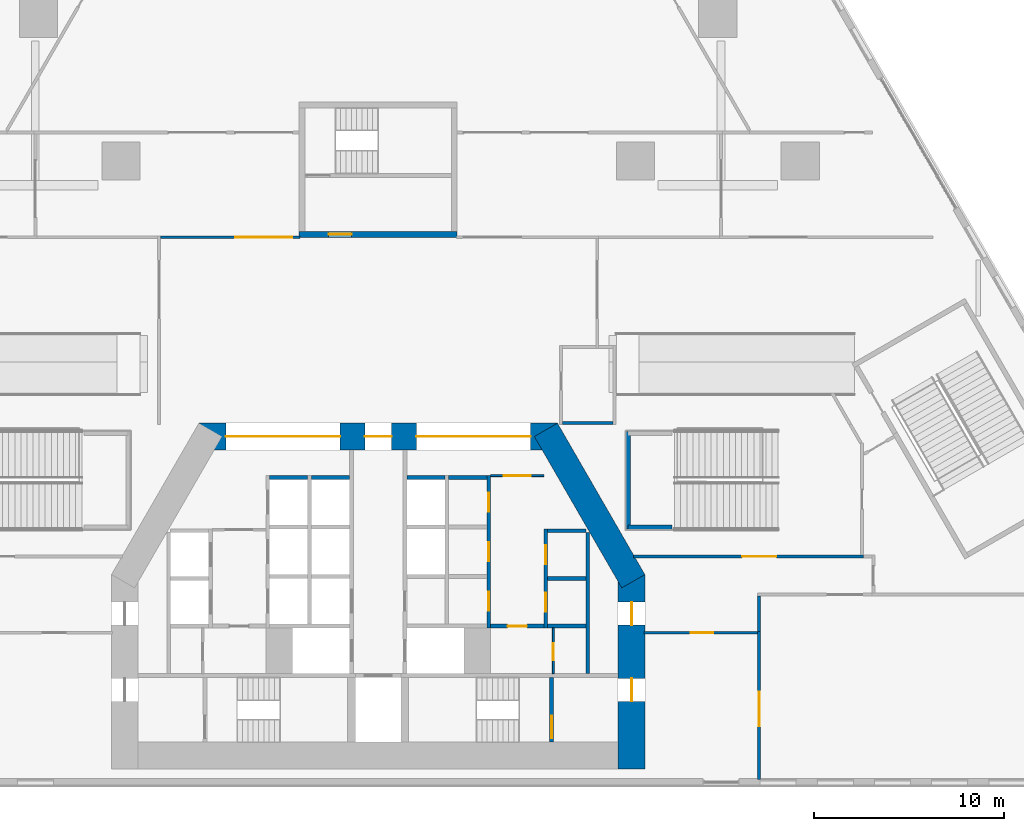
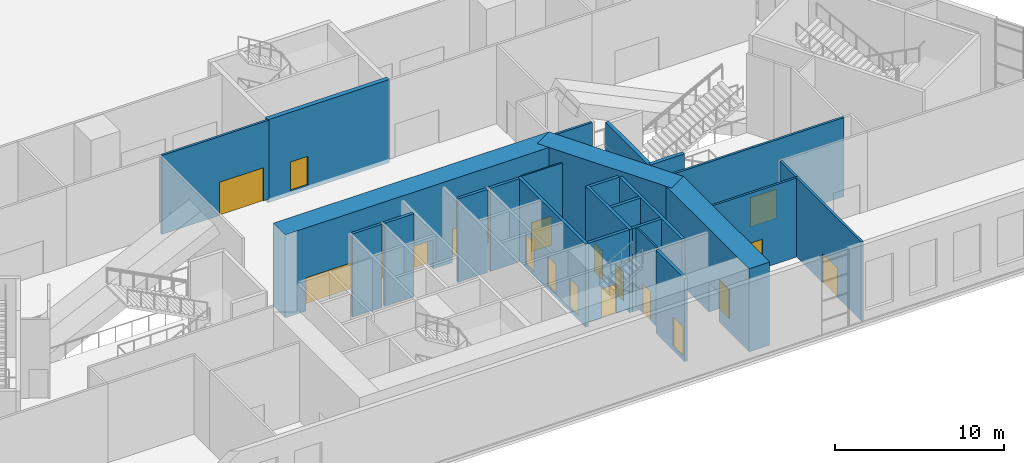
# One storey, part 16 of 27: 26 walls, 19 doors, 19 openings.
"""IFC4 building model written with IfcOpenShell, lengths in metres."""

from ifc_helpers import new_model, si_unit, direction, frame, frame_2d, origin, place, context, subcontext, project, spatial, rectangle, extrude, material, layer, layer_set, type_object, element, fill, save


model = new_model("IFC4")

# Units and contexts
model_context = context("Model", 3, precision=1e-05, world=origin(), true_north=direction((0.0, 1.0)))
body_context = subcontext(model_context, "Body", "Model", "MODEL_VIEW")
ifc_project = project(units=[si_unit("LENGTHUNIT", "METRE"), si_unit("AREAUNIT", "SQUARE_METRE"), si_unit("VOLUMEUNIT", "CUBIC_METRE"), si_unit("PLANEANGLEUNIT", "RADIAN"), si_unit("MASSUNIT", "GRAM", prefix="KILO")], contexts=[model_context])

# Site, building, storey
site_placement = place(None, origin())
site = spatial("IfcSite", under=ifc_project, at=site_placement, CompositionType="ELEMENT")
building_placement = place(site_placement, origin())
building = spatial("IfcBuilding", under=site, at=building_placement, Name="Fogline Exchange Tower", CompositionType="ELEMENT")
storey_placement = place(building_placement, frame((0.0, 0.0, 8.0)))
storey = spatial("IfcBuildingStorey", under=building, at=storey_placement, Name="L01", CompositionType="ELEMENT", Elevation=8.0)

# Wall, opening, door
ifc_material_1 = material(Name="Blockwork partition", Category="masonry")
ifc_layer_1 = layer(ifc_material_1, 0.10009765625)
ifc_layer_set_1 = layer_set([ifc_layer_1], Name="CW10")
wall_type_1 = type_object("IfcWallType", Name="CW10", PredefinedType="PARTITIONING", material=ifc_layer_set_1)
wall_1_placement = place(storey_placement, frame((5.89990234375, 16.25, 0.0), z_axis=(0.0, 0.0, 1.0), x_axis=(1.0, 0.0, 0.0)))
wall_1 = element("IfcWall", 1, at=wall_1_placement, inside=storey, type_object=wall_type_1, Name="Lift lobby partition", PredefinedType="PARTITIONING", context=body_context, shape_type="SweptSolid", body=[
    extrude(rectangle(XDim=2.800048828125, YDim=0.10009765625, at=frame_2d((1.39990234375, 0.0))), origin(), (0.0, 0.0, 1.0), 5.699951171875),
])
opening_1_placement = place(wall_1_placement, frame((0.699951171875, 0.0, 0.0)))
opening_1 = element("IfcOpeningElement", 2, at=opening_1_placement, cuts=wall_1, Name="Opening P01-C013", PredefinedType="OPENING", context=body_context, shape_type="SweptSolid", body=[
    extrude(rectangle(XDim=1.39990234375, YDim=2.10009765625, at=frame_2d((0.699951171875, 1.050048828125))), frame((0.0, 0.06005859375, 0.0), z_axis=(0.0, -1.0, 0.0), x_axis=(1.0, 0.0, 0.0)), (0.0, 0.0, 1.0), 0.1201171875),
])
ifc_material_2 = material(Name="Steel and timber fire door", Category="steel")
door_type_1 = type_object("IfcDoorType", Name="D-LB1", OperationType="DOUBLE_DOOR_SINGLE_SWING", PredefinedType="DOOR", material=ifc_material_2)
door_1_placement = place(opening_1_placement, origin())
door_1 = element("IfcDoor", 3, at=door_1_placement, inside=storey, type_object=door_type_1, Name="Door to lift lobby", OperationType="DOUBLE_DOOR_SINGLE_SWING", OverallHeight=2.10009765625, OverallWidth=1.39990234375, PredefinedType="DOOR", context=body_context, shape_type="SweptSolid", body=[
    extrude(rectangle(XDim=1.39990234375, YDim=2.10009765625, at=frame_2d((0.699951171875, 1.050048828125))), frame((0.0, 0.02490234375, 0.0), z_axis=(0.0, -1.0, 0.0), x_axis=(1.0, 0.0, 0.0)), (0.0, 0.0, 1.0), 0.050048828125),
])
fill(opening_1, door_1)

wall_2_placement = place(storey_placement, frame((9.199951171875, 5.85009765625, 0.0), z_axis=(0.0, 0.0, 1.0), x_axis=(0.0, 1.0, 0.0)))
wall_2 = element("IfcWall", 4, at=wall_2_placement, inside=storey, type_object=wall_type_1, Name="WC partition", PredefinedType="PARTITIONING", context=body_context, shape_type="SweptSolid", body=[
    extrude(rectangle(XDim=2.39990234375, YDim=0.10009765625, at=frame_2d((1.199951171875, 0.0))), origin(), (0.0, 0.0, 1.0), 5.699951171875),
])
opening_2_placement = place(wall_2_placement, frame((0.699951171875, 0.0, 0.0)))
opening_2 = element("IfcOpeningElement", 5, at=opening_2_placement, cuts=wall_2, Name="Opening P01-C015", PredefinedType="OPENING", context=body_context, shape_type="SweptSolid", body=[
    extrude(rectangle(XDim=0.89990234375, YDim=2.10009765625, at=frame_2d((0.449951171875, 1.050048828125))), frame((0.0, 0.06005859375, 0.0), z_axis=(0.0, -1.0, 0.0), x_axis=(1.0, 0.0, 0.0)), (0.0, 0.0, 1.0), 0.1201171875),
])
door_type_2 = type_object("IfcDoorType", Name="D-CS1", OperationType="SINGLE_SWING_RIGHT", PredefinedType="DOOR", material=ifc_material_2)
door_2_placement = place(opening_2_placement, frame((0.89990234375, 0.0, 0.0), z_axis=(0.0, 0.0, 1.0), x_axis=(-1.0, 0.0, 0.0)))
door_2 = element("IfcDoor", 6, at=door_2_placement, inside=storey, type_object=door_type_2, Name="Door to Cleaner's Store", OperationType="SINGLE_SWING_RIGHT", OverallHeight=2.10009765625, OverallWidth=0.89990234375, PredefinedType="DOOR", context=body_context, shape_type="SweptSolid", body=[
    extrude(rectangle(XDim=0.89990234375, YDim=2.10009765625, at=frame_2d((0.449951171875, 1.050048828125))), frame((0.0, 0.02490234375, 0.0), z_axis=(0.0, -1.0, 0.0), x_axis=(1.0, 0.0, 0.0)), (0.0, 0.0, 1.0), 0.050048828125),
])
fill(opening_2, door_2)

# Wall
ifc_material_3 = material(Name="Concrete C40", Category="concrete")
ifc_layer_2 = layer(ifc_material_3, 0.199951171875)
ifc_layer_set_2 = layer_set([ifc_layer_2], Name="CW20")
wall_type_2 = type_object("IfcWallType", Name="CW20", PredefinedType="SOLIDWALL", material=ifc_layer_set_2)
wall_3_placement = place(storey_placement, frame((11.0, 5.85009765625, 0.0), z_axis=(0.0, 0.0, 1.0), x_axis=(0.0, 1.0, 0.0)))
element("IfcWall", 7, at=wall_3_placement, inside=storey, type_object=wall_type_2, Name="Service room wall", PredefinedType="SOLIDWALL", context=body_context, shape_type="SweptSolid", body=[
    extrude(rectangle(XDim=7.39990234375, YDim=0.199951171875, at=frame_2d((3.699951171875, 0.0))), origin(), (0.0, 0.0, 1.0), 5.699951171875),
])

# Wall, opening, door
wall_4_placement = place(storey_placement, frame((5.89990234375, 8.35009765625, 0.0), z_axis=(0.0, 0.0, 1.0), x_axis=(1.0, 0.0, 0.0)))
wall_4 = element("IfcWall", 8, at=wall_4_placement, inside=storey, type_object=wall_type_2, Name="WC wall", PredefinedType="SOLIDWALL", context=body_context, shape_type="SweptSolid", body=[
    extrude(rectangle(XDim=2.800048828125, YDim=0.199951171875, at=frame_2d((1.39990234375, 0.0))), origin(), (0.0, 0.0, 1.0), 5.699951171875),
])
opening_3_placement = place(wall_4_placement, frame((0.89990234375, 0.0, 0.0)))
opening_3 = element("IfcOpeningElement", 9, at=opening_3_placement, cuts=wall_4, Name="Opening P01-C014", PredefinedType="OPENING", context=body_context, shape_type="SweptSolid", body=[
    extrude(rectangle(XDim=1.0, YDim=2.10009765625, at=frame_2d((0.5, 1.050048828125))), frame((0.0, 0.10986328125, 0.0), z_axis=(0.0, -1.0, 0.0), x_axis=(1.0, 0.0, 0.0)), (0.0, 0.0, 1.0), 0.219970703125),
])
door_type_3 = type_object("IfcDoorType", Name="D-WC1", OperationType="SINGLE_SWING_LEFT", PredefinedType="DOOR", material=ifc_material_2)
door_3_placement = place(opening_3_placement, frame((1.0, 0.0, 0.0), z_axis=(0.0, 0.0, 1.0), x_axis=(-1.0, 0.0, 0.0)))
door_3 = element("IfcDoor", 10, at=door_3_placement, inside=storey, type_object=door_type_3, Name="Door to Women's WC", OperationType="SINGLE_SWING_LEFT", OverallHeight=2.10009765625, OverallWidth=1.0, PredefinedType="DOOR", context=body_context, shape_type="SweptSolid", body=[
    extrude(rectangle(XDim=1.0, YDim=2.10009765625, at=frame_2d((0.5, 1.050048828125))), frame((0.0, 0.02490234375, 0.0), z_axis=(0.0, -1.0, 0.0), x_axis=(1.0, 0.0, 0.0)), (0.0, 0.0, 1.0), 0.050048828125),
])
fill(opening_3, door_3)

ifc_layer_3 = layer(ifc_material_3, 0.199951171875)
ifc_layer_set_3 = layer_set([ifc_layer_3], Name="CW20R")
wall_type_3 = type_object("IfcWallType", Name="CW20R", PredefinedType="SOLIDWALL", material=ifc_layer_set_3)
wall_5_placement = place(storey_placement, frame((9.10009765625, 2.25, -0.300048828125), z_axis=(0.0, 0.0, 1.0), x_axis=(0.0, 1.0, 0.0)))
wall_5 = element("IfcWall", 11, at=wall_5_placement, inside=storey, type_object=wall_type_3, Name="Stair enclosure wall", PredefinedType="SOLIDWALL", context=body_context, shape_type="SweptSolid", body=[
    extrude(rectangle(XDim=3.39990234375, YDim=0.199951171875, at=frame_2d((1.699951171875, 0.0))), origin(), (0.0, 0.0, 1.0), 6.0),
])
opening_4_placement = place(wall_5_placement, frame((0.199951171875, 0.0, 0.300048828125)))
opening_4 = element("IfcOpeningElement", 12, at=opening_4_placement, cuts=wall_5, Name="Opening P01-C017", PredefinedType="OPENING", context=body_context, shape_type="SweptSolid", body=[
    extrude(rectangle(XDim=1.199951171875, YDim=2.10009765625, at=frame_2d((0.60009765625, 1.050048828125))), frame((0.0, 0.10986328125, 0.0), z_axis=(0.0, -1.0, 0.0), x_axis=(1.0, 0.0, 0.0)), (0.0, 0.0, 1.0), 0.219970703125),
])
door_type_4 = type_object("IfcDoorType", Name="D-ST1", OperationType="SINGLE_SWING_LEFT", PredefinedType="DOOR", material=ifc_material_2)
door_4_placement = place(opening_4_placement, origin())
door_4 = element("IfcDoor", 13, at=door_4_placement, inside=storey, type_object=door_type_4, Name="Stair door ST2", OperationType="SINGLE_SWING_LEFT", OverallHeight=2.10009765625, OverallWidth=1.199951171875, PredefinedType="DOOR", context=body_context, shape_type="SweptSolid", body=[
    extrude(rectangle(XDim=1.199951171875, YDim=2.10009765625, at=frame_2d((0.60009765625, 1.050048828125))), frame((0.0, 0.02490234375, 0.0), z_axis=(0.0, -1.0, 0.0), x_axis=(1.0, 0.0, 0.0)), (0.0, 0.0, 1.0), 0.050048828125),
])
fill(opening_4, door_4)

# Wall, openings, doors
ifc_layer_4 = layer(ifc_material_3, 0.199951171875)
ifc_layer_set_4 = layer_set([ifc_layer_4], Name="CW20S")
wall_type_4 = type_object("IfcWallType", Name="CW20S", PredefinedType="SOLIDWALL", material=ifc_layer_set_4)
wall_6_placement = place(storey_placement, frame((8.800048828125, 8.25, -0.300048828125), z_axis=(0.0, 0.0, 1.0), x_axis=(0.0, 1.0, 0.0)))
wall_6 = element("IfcWall", 14, at=wall_6_placement, inside=storey, type_object=wall_type_4, Name="Lift shaft wall", PredefinedType="SOLIDWALL", context=body_context, shape_type="SweptSolid", body=[
    extrude(rectangle(XDim=5.199951171875, YDim=0.199951171875, at=frame_2d((2.60009765625, 0.0))), origin(), (0.0, 0.0, 1.0), 6.0),
])
opening_5_placement = place(wall_6_placement, frame((0.85009765625, 0.0, 0.300048828125)))
opening_5 = element("IfcOpeningElement", 15, at=opening_5_placement, cuts=wall_6, Name="Opening P01-C001", PredefinedType="OPENING", context=body_context, shape_type="SweptSolid", body=[
    extrude(rectangle(XDim=1.0, YDim=2.10009765625, at=frame_2d((0.5, 1.050048828125))), frame((0.0, 0.10986328125, 0.0), z_axis=(0.0, -1.0, 0.0), x_axis=(1.0, 0.0, 0.0)), (0.0, 0.0, 1.0), 0.219970703125),
])
opening_6_placement = place(wall_6_placement, frame((3.35009765625, 0.0, 0.300048828125)))
opening_6 = element("IfcOpeningElement", 16, at=opening_6_placement, cuts=wall_6, Name="Opening P01-C002", PredefinedType="OPENING", context=body_context, shape_type="SweptSolid", body=[
    extrude(rectangle(XDim=1.0, YDim=2.10009765625, at=frame_2d((0.5, 1.050048828125))), frame((0.0, 0.10986328125, 0.0), z_axis=(0.0, -1.0, 0.0), x_axis=(1.0, 0.0, 0.0)), (0.0, 0.0, 1.0), 0.219970703125),
])
door_type_5 = type_object("IfcDoorType", Name="D-RM1", OperationType="SINGLE_SWING_LEFT", PredefinedType="DOOR", material=ifc_material_2)
door_5_placement = place(opening_5_placement, frame((1.0, 0.0, 0.0), z_axis=(0.0, 0.0, 1.0), x_axis=(-1.0, 0.0, 0.0)))
door_5 = element("IfcDoor", 17, at=door_5_placement, inside=storey, type_object=door_type_5, Name="Door to Stationery Store", OperationType="SINGLE_SWING_LEFT", OverallHeight=2.10009765625, OverallWidth=1.0, PredefinedType="DOOR", context=body_context, shape_type="SweptSolid", body=[
    extrude(rectangle(XDim=1.0, YDim=2.10009765625, at=frame_2d((0.5, 1.050048828125))), frame((0.0, 0.02490234375, 0.0), z_axis=(0.0, -1.0, 0.0), x_axis=(1.0, 0.0, 0.0)), (0.0, 0.0, 1.0), 0.050048828125),
])
fill(opening_5, door_5)
door_6_placement = place(opening_6_placement, frame((1.0, 0.0, 0.0), z_axis=(0.0, 0.0, 1.0), x_axis=(-1.0, 0.0, 0.0)))
door_6 = element("IfcDoor", 18, at=door_6_placement, inside=storey, type_object=door_type_5, Name="Door to Records Store", OperationType="SINGLE_SWING_LEFT", OverallHeight=2.10009765625, OverallWidth=1.0, PredefinedType="DOOR", context=body_context, shape_type="SweptSolid", body=[
    extrude(rectangle(XDim=1.0, YDim=2.10009765625, at=frame_2d((0.5, 1.050048828125))), frame((0.0, 0.02490234375, 0.0), z_axis=(0.0, -1.0, 0.0), x_axis=(1.0, 0.0, 0.0)), (0.0, 0.0, 1.0), 0.050048828125),
])
fill(opening_6, door_6)

wall_7_placement = place(storey_placement, frame((5.800048828125, 8.25, -0.300048828125), z_axis=(0.0, 0.0, 1.0), x_axis=(0.0, 1.0, 0.0)))
wall_7 = element("IfcWall", 19, at=wall_7_placement, inside=storey, type_object=wall_type_4, Name="Lift shaft wall", PredefinedType="SOLIDWALL", context=body_context, shape_type="SweptSolid", body=[
    extrude(rectangle(XDim=8.0, YDim=0.199951171875, at=frame_2d((4.0, 0.0))), origin(), (0.0, 0.0, 1.0), 6.0),
])
opening_7_placement = place(wall_7_placement, frame((0.89990234375, 0.0, 0.300048828125)))
opening_7 = element("IfcOpeningElement", 20, at=opening_7_placement, cuts=wall_7, Name="Opening P01-C003", PredefinedType="OPENING", context=body_context, shape_type="SweptSolid", body=[
    extrude(rectangle(XDim=1.0, YDim=2.10009765625, at=frame_2d((0.5, 1.050048828125))), frame((0.0, 0.10986328125, 0.0), z_axis=(0.0, -1.0, 0.0), x_axis=(1.0, 0.0, 0.0)), (0.0, 0.0, 1.0), 0.219970703125),
])
opening_8_placement = place(wall_7_placement, frame((3.5, 0.0, 0.300048828125)))
opening_8 = element("IfcOpeningElement", 21, at=opening_8_placement, cuts=wall_7, Name="Opening P01-C004", PredefinedType="OPENING", context=body_context, shape_type="SweptSolid", body=[
    extrude(rectangle(XDim=1.0, YDim=2.10009765625, at=frame_2d((0.5, 1.050048828125))), frame((0.0, 0.10986328125, 0.0), z_axis=(0.0, -1.0, 0.0), x_axis=(1.0, 0.0, 0.0)), (0.0, 0.0, 1.0), 0.219970703125),
])
opening_9_placement = place(wall_7_placement, frame((6.10009765625, 0.0, 0.300048828125)))
opening_9 = element("IfcOpeningElement", 22, at=opening_9_placement, cuts=wall_7, Name="Opening P01-C005", PredefinedType="OPENING", context=body_context, shape_type="SweptSolid", body=[
    extrude(rectangle(XDim=1.0, YDim=2.10009765625, at=frame_2d((0.5, 1.050048828125))), frame((0.0, 0.10986328125, 0.0), z_axis=(0.0, -1.0, 0.0), x_axis=(1.0, 0.0, 0.0)), (0.0, 0.0, 1.0), 0.219970703125),
])
door_7_placement = place(opening_7_placement, origin())
door_7 = element("IfcDoor", 23, at=door_7_placement, inside=storey, type_object=door_type_5, Name="Door to Riser Room", OperationType="SINGLE_SWING_RIGHT", OverallHeight=2.10009765625, OverallWidth=1.0, PredefinedType="DOOR", context=body_context, shape_type="SweptSolid", body=[
    extrude(rectangle(XDim=1.0, YDim=2.10009765625, at=frame_2d((0.5, 1.050048828125))), frame((0.0, 0.02490234375, 0.0), z_axis=(0.0, -1.0, 0.0), x_axis=(1.0, 0.0, 0.0)), (0.0, 0.0, 1.0), 0.050048828125),
])
fill(opening_7, door_7)
door_8_placement = place(opening_8_placement, origin())
door_8 = element("IfcDoor", 24, at=door_8_placement, inside=storey, type_object=door_type_5, Name="Door to Plant Room", OperationType="SINGLE_SWING_LEFT", OverallHeight=2.10009765625, OverallWidth=1.0, PredefinedType="DOOR", context=body_context, shape_type="SweptSolid", body=[
    extrude(rectangle(XDim=1.0, YDim=2.10009765625, at=frame_2d((0.5, 1.050048828125))), frame((0.0, 0.02490234375, 0.0), z_axis=(0.0, -1.0, 0.0), x_axis=(1.0, 0.0, 0.0)), (0.0, 0.0, 1.0), 0.050048828125),
])
fill(opening_8, door_8)
door_9_placement = place(opening_9_placement, origin())
door_9 = element("IfcDoor", 25, at=door_9_placement, inside=storey, type_object=door_type_5, Name="Door to Cable Store", OperationType="SINGLE_SWING_LEFT", OverallHeight=2.10009765625, OverallWidth=1.0, PredefinedType="DOOR", context=body_context, shape_type="SweptSolid", body=[
    extrude(rectangle(XDim=1.0, YDim=2.10009765625, at=frame_2d((0.5, 1.050048828125))), frame((0.0, 0.02490234375, 0.0), z_axis=(0.0, -1.0, 0.0), x_axis=(1.0, 0.0, 0.0)), (0.0, 0.0, 1.0), 0.050048828125),
])
fill(opening_9, door_9)

# Walls
for number, where, z_axis, x_axis, name in (
    (26, (8.89990234375, 8.35009765625, -0.300048828125), (0.0, 0.0, 1.0), (1.0, 0.0, 0.0), "Lift shaft wall"),
    (27, (-5.699951171875, 16.14990234375, -0.300048828125), (0.0, 0.0, 1.0), (1.0, 0.0, 0.0), "Lift shaft wall"),
    (28, (-3.5, 16.14990234375, -0.300048828125), (0.0, 0.0, 1.0), (1.0, 0.0, 0.0), "Lift shaft wall"),
    (29, (8.89990234375, 10.85009765625, -0.300048828125), (0.0, 0.0, 1.0), (1.0, 0.0, 0.0), "Lift shaft wall"),
    (30, (8.89990234375, 13.35009765625, -0.300048828125), (0.0, 0.0, 1.0), (1.0, 0.0, 0.0), "Lift shaft wall"),
    (31, (3.699951171875, 16.14990234375, -0.300048828125), (0.0, 0.0, 1.0), (1.0, 0.0, 0.0), "Lift shaft wall"),
    (32, (1.5, 16.14990234375, -0.300048828125), (0.0, 0.0, 1.0), (1.0, 0.0, 0.0), "Lift shaft wall"),
):
    element("IfcWall", number, at=place(storey_placement, frame(where, z_axis=z_axis, x_axis=x_axis)), inside=storey, type_object=wall_type_4, Name=name, PredefinedType="SOLIDWALL", context=body_context, shape_type="SweptSolid", body=[
        extrude(rectangle(XDim=2.0, YDim=0.199951171875, at=frame_2d((1.0, 0.0))), origin(), (0.0, 0.0, 1.0), 6.0),
    ])

# Wall, opening, door
ifc_layer_5 = layer(ifc_material_3, 0.300048828125)
ifc_layer_set_5 = layer_set([ifc_layer_5], Name="CW30")
wall_type_5 = type_object("IfcWallType", Name="CW30", PredefinedType="SOLIDWALL", material=ifc_layer_set_5)
wall_8_placement = place(storey_placement, frame((-4.14990234375, 28.906982421875, -0.300048828125), z_axis=(0.0, 0.0, 1.0), x_axis=(1.0, 0.0, 0.0)))
wall_8 = element("IfcWall", 33, at=wall_8_placement, inside=storey, type_object=wall_type_5, Name="Stair enclosure wall ST3", PredefinedType="SOLIDWALL", context=body_context, shape_type="SweptSolid", body=[
    extrude(rectangle(XDim=8.2998046875, YDim=0.300048828125, at=frame_2d((4.14990234375, 0.0))), origin(), (0.0, 0.0, 1.0), 6.0),
])
opening_10_placement = place(wall_8_placement, frame((1.550048828125, 0.0, 0.300048828125)))
opening_10 = element("IfcOpeningElement", 34, at=opening_10_placement, cuts=wall_8, Name="Opening P01-C022", PredefinedType="OPENING", context=body_context, shape_type="SweptSolid", body=[
    extrude(rectangle(XDim=1.199951171875, YDim=2.10009765625, at=frame_2d((0.60009765625, 1.050048828125))), frame((0.0, 0.16015625, 0.0), z_axis=(0.0, -1.0, 0.0), x_axis=(1.0, 0.0, 0.0)), (0.0, 0.0, 1.0), 0.320068359375),
])
door_type_6 = type_object("IfcDoorType", Name="D-FR1", OperationType="SINGLE_SWING_RIGHT", PredefinedType="DOOR", material=ifc_material_2)
door_10_placement = place(opening_10_placement, origin())
door_10 = element("IfcDoor", 35, at=door_10_placement, inside=storey, type_object=door_type_6, Name="Front room door ST3", OperationType="SINGLE_SWING_LEFT", OverallHeight=2.10009765625, OverallWidth=1.199951171875, PredefinedType="DOOR", context=body_context, shape_type="SweptSolid", body=[
    extrude(rectangle(XDim=1.199951171875, YDim=2.10009765625, at=frame_2d((0.60009765625, 1.050048828125))), frame((0.0, 0.02490234375, 0.0), z_axis=(0.0, -1.0, 0.0), x_axis=(1.0, 0.0, 0.0)), (0.0, 0.0, 1.0), 0.050048828125),
])
fill(opening_10, door_10)

ifc_material_4 = material(Name="Plasterboard on steel stud", Category="steel")
ifc_layer_6 = layer(ifc_material_4, 0.14990234375)
ifc_layer_set_6 = layer_set([ifc_layer_6], Name="PP1")
wall_type_6 = type_object("IfcWallType", Name="PP1", PredefinedType="PARTITIONING", material=ifc_layer_set_6)
wall_9_placement = place(storey_placement, frame((20.0, 0.294921875, 0.0), z_axis=(0.0, 0.0, 1.0), x_axis=(0.0, 1.0, 0.0)))
wall_9 = element("IfcWall", 36, at=wall_9_placement, inside=storey, type_object=wall_type_6, Name="PP1 partition", PredefinedType="PARTITIONING", context=body_context, shape_type="SweptSolid", body=[
    extrude(rectangle(XDim=7.780029296875, YDim=0.14990234375, at=frame_2d((3.89013671875, 0.0))), origin(), (0.0, 0.0, 1.0), 5.699951171875),
])
opening_11_placement = place(wall_9_placement, frame((2.804931640625, 0.0, 0.0)))
opening_11 = element("IfcOpeningElement", 37, at=opening_11_placement, cuts=wall_9, Name="Opening P01-D014", PredefinedType="OPENING", context=body_context, shape_type="SweptSolid", body=[
    extrude(rectangle(XDim=1.800048828125, YDim=2.10009765625, at=frame_2d((0.89990234375, 1.050048828125))), frame((0.0, 0.0849609375, 0.0), z_axis=(0.0, -1.0, 0.0), x_axis=(1.0, 0.0, 0.0)), (0.0, 0.0, 1.0), 0.169921875),
])
ifc_material_5 = material(Name="Timber", Category="wood")
door_type_7 = type_object("IfcDoorType", Name="PD3", OperationType="DOUBLE_DOOR_SINGLE_SWING", PredefinedType="DOOR", material=ifc_material_5)
door_11_placement = place(opening_11_placement, frame((1.800048828125, 0.0, 0.0), z_axis=(0.0, 0.0, 1.0), x_axis=(-1.0, 0.0, 0.0)))
door_11 = element("IfcDoor", 38, at=door_11_placement, inside=storey, type_object=door_type_7, Name="P01-D014", OperationType="DOUBLE_DOOR_SINGLE_SWING", OverallHeight=2.10009765625, OverallWidth=1.800048828125, PredefinedType="DOOR", context=body_context, shape_type="SweptSolid", body=[
    extrude(rectangle(XDim=1.800048828125, YDim=2.10009765625, at=frame_2d((0.89990234375, 1.050048828125))), frame((0.0, 0.02490234375, 0.0), z_axis=(0.0, -1.0, 0.0), x_axis=(1.0, 0.0, 0.0)), (0.0, 0.0, 1.0), 0.050048828125),
])
fill(opening_11, door_11)

wall_10_placement = place(storey_placement, frame((13.955078125, 8.0, 0.0), z_axis=(0.0, 0.0, 1.0), x_axis=(1.0, 0.0, 0.0)))
wall_10 = element("IfcWall", 39, at=wall_10_placement, inside=storey, type_object=wall_type_6, Name="PP1 partition", PredefinedType="PARTITIONING", context=body_context, shape_type="SweptSolid", body=[
    extrude(rectangle(XDim=5.969970703125, YDim=0.14990234375, at=frame_2d((2.98486328125, 0.0))), origin(), (0.0, 0.0, 1.0), 5.699951171875),
])
opening_12_placement = place(wall_10_placement, frame((2.445068359375, 0.0, 0.0)))
opening_12 = element("IfcOpeningElement", 40, at=opening_12_placement, cuts=wall_10, Name="Opening P01-D009", PredefinedType="OPENING", context=body_context, shape_type="SweptSolid", body=[
    extrude(rectangle(XDim=1.199951171875, YDim=2.10009765625, at=frame_2d((0.60009765625, 1.050048828125))), frame((0.0, 0.0849609375, 0.0), z_axis=(0.0, -1.0, 0.0), x_axis=(1.0, 0.0, 0.0)), (0.0, 0.0, 1.0), 0.169921875),
])
ifc_material_6 = material(Name="Steel Q235B", Category="steel")
door_type_8 = type_object("IfcDoorType", Name="PD7", OperationType="SINGLE_SWING_LEFT", PredefinedType="DOOR", material=ifc_material_6)
door_12_placement = place(opening_12_placement, origin())
door_12 = element("IfcDoor", 41, at=door_12_placement, inside=storey, type_object=door_type_8, Name="P01-D009", OperationType="SINGLE_SWING_RIGHT", OverallHeight=2.10009765625, OverallWidth=1.199951171875, PredefinedType="DOOR", context=body_context, shape_type="SweptSolid", body=[
    extrude(rectangle(XDim=1.199951171875, YDim=2.10009765625, at=frame_2d((0.60009765625, 1.050048828125))), frame((0.0, 0.02490234375, 0.0), z_axis=(0.0, -1.0, 0.0), x_axis=(1.0, 0.0, 0.0)), (0.0, 0.0, 1.0), 0.050048828125),
])
fill(opening_12, door_12)

# Wall
wall_11_placement = place(storey_placement, frame((20.0, 8.074951171875, 0.0), z_axis=(0.0, 0.0, 1.0), x_axis=(0.0, 1.0, 0.0)))
element("IfcWall", 42, at=wall_11_placement, inside=storey, type_object=wall_type_6, Name="PP1 partition", PredefinedType="PARTITIONING", context=body_context, shape_type="SweptSolid", body=[
    extrude(rectangle(XDim=1.85009765625, YDim=0.14990234375, at=frame_2d((0.925048828125, 0.0))), origin(), (0.0, 0.0, 1.0), 5.699951171875),
])

# Wall, opening, door
wall_12_placement = place(storey_placement, frame((13.41259765625, 12.0, 0.0), z_axis=(0.0, 0.0, 1.0), x_axis=(1.0, 0.0, 0.0)))
wall_12 = element("IfcWall", 43, at=wall_12_placement, inside=storey, type_object=wall_type_6, Name="PP1 partition", PredefinedType="PARTITIONING", context=body_context, shape_type="SweptSolid", body=[
    extrude(rectangle(XDim=12.0625, YDim=0.14990234375, at=frame_2d((6.03125, 0.0))), origin(), (0.0, 0.0, 1.0), 5.699951171875),
])
opening_13_placement = place(wall_12_placement, frame((5.6875, 0.0, 0.0)))
opening_13 = element("IfcOpeningElement", 44, at=opening_13_placement, cuts=wall_12, Name="Opening P01-D011", PredefinedType="OPENING", context=body_context, shape_type="SweptSolid", body=[
    extrude(rectangle(XDim=1.800048828125, YDim=2.10009765625, at=frame_2d((0.89990234375, 1.050048828125))), frame((0.0, 0.0849609375, 0.0), z_axis=(0.0, -1.0, 0.0), x_axis=(1.0, 0.0, 0.0)), (0.0, 0.0, 1.0), 0.169921875),
])
door_13_placement = place(opening_13_placement, frame((1.800048828125, 0.0, 0.0), z_axis=(0.0, 0.0, 1.0), x_axis=(-1.0, 0.0, 0.0)))
door_13 = element("IfcDoor", 45, at=door_13_placement, inside=storey, type_object=door_type_7, Name="P01-D011", OperationType="DOUBLE_DOOR_SINGLE_SWING", OverallHeight=2.10009765625, OverallWidth=1.800048828125, PredefinedType="DOOR", context=body_context, shape_type="SweptSolid", body=[
    extrude(rectangle(XDim=1.800048828125, YDim=2.10009765625, at=frame_2d((0.89990234375, 1.050048828125))), frame((0.0, 0.02490234375, 0.0), z_axis=(0.0, -1.0, 0.0), x_axis=(1.0, 0.0, 0.0)), (0.0, 0.0, 1.0), 0.050048828125),
])
fill(opening_13, door_13)

# Wall
wall_13_placement = place(storey_placement, frame((12.324951171875, 19.0, 0.0), z_axis=(0.0, 0.0, 1.0), x_axis=(-1.0, 0.0, 0.0)))
element("IfcWall", 46, at=wall_13_placement, inside=storey, type_object=wall_type_6, Name="PP1 partition", PredefinedType="PARTITIONING", context=body_context, shape_type="SweptSolid", body=[
    extrude(rectangle(XDim=2.64990234375, YDim=0.14990234375, at=frame_2d((1.324951171875, 0.0))), origin(), (0.0, 0.0, 1.0), 5.699951171875),
])

# Wall, opening, door
wall_14_placement = place(storey_placement, frame((-11.425048828125, 28.760009765625, 0.0), z_axis=(0.0, 0.0, 1.0), x_axis=(1.0, 0.0, 0.0)))
wall_14 = element("IfcWall", 47, at=wall_14_placement, inside=storey, type_object=wall_type_6, Name="PP1 partition", PredefinedType="PARTITIONING", context=body_context, shape_type="SweptSolid", body=[
    extrude(rectangle(XDim=7.320068359375, YDim=0.14990234375, at=frame_2d((3.66015625, 0.0))), origin(), (0.0, 0.0, 1.0), 5.699951171875),
])
opening_14_placement = place(wall_14_placement, frame((3.925048828125, 0.0, 0.0)))
opening_14 = element("IfcOpeningElement", 48, at=opening_14_placement, cuts=wall_14, Name="Opening P01-D030", PredefinedType="OPENING", context=body_context, shape_type="SweptSolid", body=[
    extrude(rectangle(XDim=3.0, YDim=2.39990234375, at=frame_2d((1.5, 1.199951171875))), frame((0.0, 0.0849609375, 0.0), z_axis=(0.0, -1.0, 0.0), x_axis=(1.0, 0.0, 0.0)), (0.0, 0.0, 1.0), 0.169921875),
])
door_type_9 = type_object("IfcDoorType", Name="PD13", OperationType="DOUBLE_DOOR_SINGLE_SWING", PredefinedType="DOOR", material=ifc_material_6)
door_14_placement = place(opening_14_placement, origin())
door_14 = element("IfcDoor", 49, at=door_14_placement, inside=storey, type_object=door_type_9, Name="P01-D030", OperationType="DOUBLE_DOOR_SINGLE_SWING", OverallHeight=2.39990234375, OverallWidth=3.0, PredefinedType="DOOR", context=body_context, shape_type="SweptSolid", body=[
    extrude(rectangle(XDim=3.0, YDim=2.39990234375, at=frame_2d((1.5, 1.199951171875))), frame((0.0, 0.02490234375, 0.0), z_axis=(0.0, -1.0, 0.0), x_axis=(1.0, 0.0, 0.0)), (0.0, 0.0, 1.0), 0.050048828125),
])
fill(opening_14, door_14)

# Walls
ifc_layer_7 = layer(ifc_material_3, 0.25)
ifc_layer_set_7 = layer_set([ifc_layer_7], Name="PP6")
wall_type_7 = type_object("IfcWallType", Name="PP6", PredefinedType="SOLIDWALL", material=ifc_layer_set_7)
wall_15_placement = place(storey_placement, frame((13.125, 13.449951171875, 0.0), z_axis=(0.0, 0.0, 1.0), x_axis=(0.0, 1.0, 0.0)))
element("IfcWall", 50, at=wall_15_placement, inside=storey, type_object=wall_type_7, Name="PP6 bearing wall", PredefinedType="SOLIDWALL", context=body_context, shape_type="SweptSolid", body=[
    extrude(rectangle(XDim=5.10009765625, YDim=0.25, at=frame_2d((2.550048828125, 0.0))), origin(), (0.0, 0.0, 1.0), 5.699951171875),
])
wall_16_placement = place(storey_placement, frame((13.125, 13.52490234375, 0.0), z_axis=(0.0, 0.0, 1.0), x_axis=(1.0, 0.0, 0.0)))
element("IfcWall", 51, at=wall_16_placement, inside=storey, type_object=wall_type_7, Name="PP6 bearing wall", PredefinedType="SOLIDWALL", context=body_context, shape_type="SweptSolid", body=[
    extrude(rectangle(XDim=2.31005859375, YDim=0.25, at=frame_2d((1.155029296875, 0.0))), origin(), (0.0, 0.0, 1.0), 5.699951171875),
])

# Wall, openings, doors
ifc_material_7 = material(Name="Concrete C60", Category="concrete")
ifc_layer_8 = layer(ifc_material_7, 1.39990234375)
ifc_layer_set_8 = layer_set([ifc_layer_8], Name="SW01")
wall_type_8 = type_object("IfcWallType", Name="SW01", PredefinedType="SHEAR", material=ifc_layer_set_8)
wall_17_placement = place(storey_placement, frame((13.300048828125, 0.85009765625, 0.0), z_axis=(0.0, 0.0, 1.0), x_axis=(0.0, 1.0, 0.0)))
wall_17 = element("IfcWall", 52, at=wall_17_placement, inside=storey, type_object=wall_type_8, Name="L01-W902", PredefinedType="SHEAR", context=body_context, shape_type="SweptSolid", body=[
    extrude(rectangle(XDim=10.202392578125, YDim=1.39990234375, at=frame_2d((5.10107421875, 0.0))), origin(), (0.0, 0.0, 1.0), 6.0),
])
opening_15_placement = place(wall_17_placement, frame((3.550048828125, 0.0, 0.0)))
opening_15 = element("IfcOpeningElement", 53, at=opening_15_placement, cuts=wall_17, Name="Opening P01-C016", PredefinedType="OPENING", context=body_context, shape_type="SweptSolid", body=[
    extrude(rectangle(XDim=1.199951171875, YDim=2.10009765625, at=frame_2d((0.60009765625, 1.050048828125))), frame((0.0, 0.7099609375, 0.0), z_axis=(0.0, -1.0, 0.0), x_axis=(1.0, 0.0, 0.0)), (0.0, 0.0, 1.0), 1.419921875),
])
opening_16_placement = place(wall_17_placement, frame((7.550048828125, 0.0, 0.0)))
opening_16 = element("IfcOpeningElement", 54, at=opening_16_placement, cuts=wall_17, Name="Opening P01-C018", PredefinedType="OPENING", context=body_context, shape_type="SweptSolid", body=[
    extrude(rectangle(XDim=1.199951171875, YDim=2.10009765625, at=frame_2d((0.60009765625, 1.050048828125))), frame((0.0, 0.7099609375, 0.0), z_axis=(0.0, -1.0, 0.0), x_axis=(1.0, 0.0, 0.0)), (0.0, 0.0, 1.0), 1.419921875),
])
door_15_placement = place(opening_15_placement, origin())
door_15 = element("IfcDoor", 55, at=door_15_placement, inside=storey, type_object=door_type_6, Name="Front room door ST2", OperationType="SINGLE_SWING_RIGHT", OverallHeight=2.10009765625, OverallWidth=1.199951171875, PredefinedType="DOOR", context=body_context, shape_type="SweptSolid", body=[
    extrude(rectangle(XDim=1.199951171875, YDim=2.10009765625, at=frame_2d((0.60009765625, 1.050048828125))), frame((0.0, 0.02490234375, 0.0), z_axis=(0.0, -1.0, 0.0), x_axis=(1.0, 0.0, 0.0)), (0.0, 0.0, 1.0), 0.050048828125),
])
fill(opening_15, door_15)
door_type_10 = type_object("IfcDoorType", Name="D-SV1", OperationType="SINGLE_SWING_LEFT", PredefinedType="DOOR", material=ifc_material_2)
door_16_placement = place(opening_16_placement, origin())
door_16 = element("IfcDoor", 56, at=door_16_placement, inside=storey, type_object=door_type_10, Name="Service door E", OperationType="SINGLE_SWING_RIGHT", OverallHeight=2.10009765625, OverallWidth=1.199951171875, PredefinedType="DOOR", context=body_context, shape_type="SweptSolid", body=[
    extrude(rectangle(XDim=1.199951171875, YDim=2.10009765625, at=frame_2d((0.60009765625, 1.050048828125))), frame((0.0, 0.02490234375, 0.0), z_axis=(0.0, -1.0, 0.0), x_axis=(1.0, 0.0, 0.0)), (0.0, 0.0, 1.0), 0.050048828125),
])
fill(opening_16, door_16)

# Wall
wall_18_placement = place(storey_placement, frame((13.393798828125, 10.70263671875, 0.0), z_axis=(0.0, 0.0, 1.0), x_axis=(-0.50000187635, 0.866024320471, 0.0)))
element("IfcWall", 57, at=wall_18_placement, inside=storey, type_object=wall_type_8, Name="L01-W903", PredefinedType="SHEAR", context=body_context, shape_type="SweptSolid", body=[
    extrude(rectangle(XDim=9.1767578125, YDim=1.39990234375, at=frame_2d((4.58837890625, 0.0))), origin(), (0.0, 0.0, 1.0), 6.0),
])

# Wall, openings, doors
wall_19_placement = place(storey_placement, frame((9.41162109375, 18.300048828125, 0.0), z_axis=(0.0, 0.0, 1.0), x_axis=(-1.0, 0.0, 0.0)))
wall_19 = element("IfcWall", 58, at=wall_19_placement, inside=storey, type_object=wall_type_8, Name="L01-W904", PredefinedType="SHEAR", context=body_context, shape_type="SweptSolid", body=[
    extrude(rectangle(XDim=18.8232421875, YDim=1.39990234375, at=frame_2d((9.41162109375, 0.0))), origin(), (0.0, 0.0, 1.0), 6.0),
])
opening_17_placement = place(wall_19_placement, frame((8.71142578125, 0.0, 0.0)))
opening_17 = element("IfcOpeningElement", 59, at=opening_17_placement, cuts=wall_19, Name="Opening P01-C019", PredefinedType="OPENING", context=body_context, shape_type="SweptSolid", body=[
    extrude(rectangle(XDim=1.39990234375, YDim=2.10009765625, at=frame_2d((0.699951171875, 1.050048828125))), frame((0.0, 0.7099609375, 0.0), z_axis=(0.0, -1.0, 0.0), x_axis=(1.0, 0.0, 0.0)), (0.0, 0.0, 1.0), 1.419921875),
])
opening_18_placement = place(wall_19_placement, frame((11.41162109375, 0.0, 0.0)))
opening_18 = element("IfcOpeningElement", 60, at=opening_18_placement, cuts=wall_19, Name="Opening P01-C020", PredefinedType="OPENING", context=body_context, shape_type="SweptSolid", body=[
    extrude(rectangle(XDim=6.0, YDim=2.39990234375, at=frame_2d((3.0, 1.199951171875))), frame((0.0, 0.7099609375, 0.0), z_axis=(0.0, -1.0, 0.0), x_axis=(1.0, 0.0, 0.0)), (0.0, 0.0, 1.0), 1.419921875),
])
opening_19_placement = place(wall_19_placement, frame((1.41162109375, 0.0, 0.0)))
opening_19 = element("IfcOpeningElement", 61, at=opening_19_placement, cuts=wall_19, Name="Opening P01-C021", PredefinedType="OPENING", context=body_context, shape_type="SweptSolid", body=[
    extrude(rectangle(XDim=6.0, YDim=2.39990234375, at=frame_2d((3.0, 1.199951171875))), frame((0.0, 0.7099609375, 0.0), z_axis=(0.0, -1.0, 0.0), x_axis=(1.0, 0.0, 0.0)), (0.0, 0.0, 1.0), 1.419921875),
])
door_17_placement = place(opening_17_placement, origin())
door_17 = element("IfcDoor", 62, at=door_17_placement, inside=storey, type_object=door_type_1, Name="Protected lobby door", OperationType="DOUBLE_DOOR_SINGLE_SWING", OverallHeight=2.10009765625, OverallWidth=1.39990234375, PredefinedType="DOOR", context=body_context, shape_type="SweptSolid", body=[
    extrude(rectangle(XDim=1.39990234375, YDim=2.10009765625, at=frame_2d((0.699951171875, 1.050048828125))), frame((0.0, 0.02490234375, 0.0), z_axis=(0.0, -1.0, 0.0), x_axis=(1.0, 0.0, 0.0)), (0.0, 0.0, 1.0), 0.050048828125),
])
fill(opening_17, door_17)
door_type_11 = type_object("IfcDoorType", Name="D-LE1", OperationType="DOUBLE_DOOR_SLIDING", PredefinedType="DOOR", material=ifc_material_2)
door_18_placement = place(opening_18_placement, origin())
door_18 = element("IfcDoor", 63, at=door_18_placement, inside=storey, type_object=door_type_11, Name="Lift lobby entrance west", OperationType="DOUBLE_DOOR_SLIDING", OverallHeight=2.39990234375, OverallWidth=6.0, PredefinedType="DOOR", context=body_context, shape_type="SweptSolid", body=[
    extrude(rectangle(XDim=6.0, YDim=2.39990234375, at=frame_2d((3.0, 1.199951171875))), frame((0.0, 0.02490234375, 0.0), z_axis=(0.0, -1.0, 0.0), x_axis=(1.0, 0.0, 0.0)), (0.0, 0.0, 1.0), 0.050048828125),
])
fill(opening_18, door_18)
door_19_placement = place(opening_19_placement, origin())
door_19 = element("IfcDoor", 64, at=door_19_placement, inside=storey, type_object=door_type_11, Name="Lift lobby entrance east", OperationType="DOUBLE_DOOR_SLIDING", OverallHeight=2.39990234375, OverallWidth=6.0, PredefinedType="DOOR", context=body_context, shape_type="SweptSolid", body=[
    extrude(rectangle(XDim=6.0, YDim=2.39990234375, at=frame_2d((3.0, 1.199951171875))), frame((0.0, 0.02490234375, 0.0), z_axis=(0.0, -1.0, 0.0), x_axis=(1.0, 0.0, 0.0)), (0.0, 0.0, 1.0), 0.050048828125),
])
fill(opening_19, door_19)

save(model, "model.ifc")
